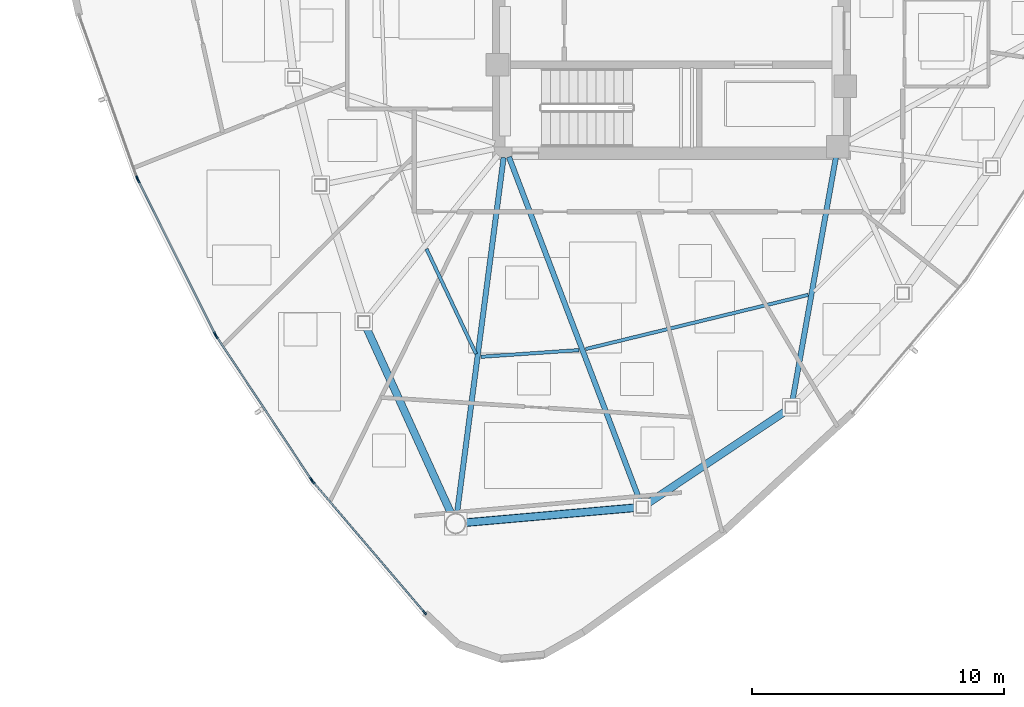
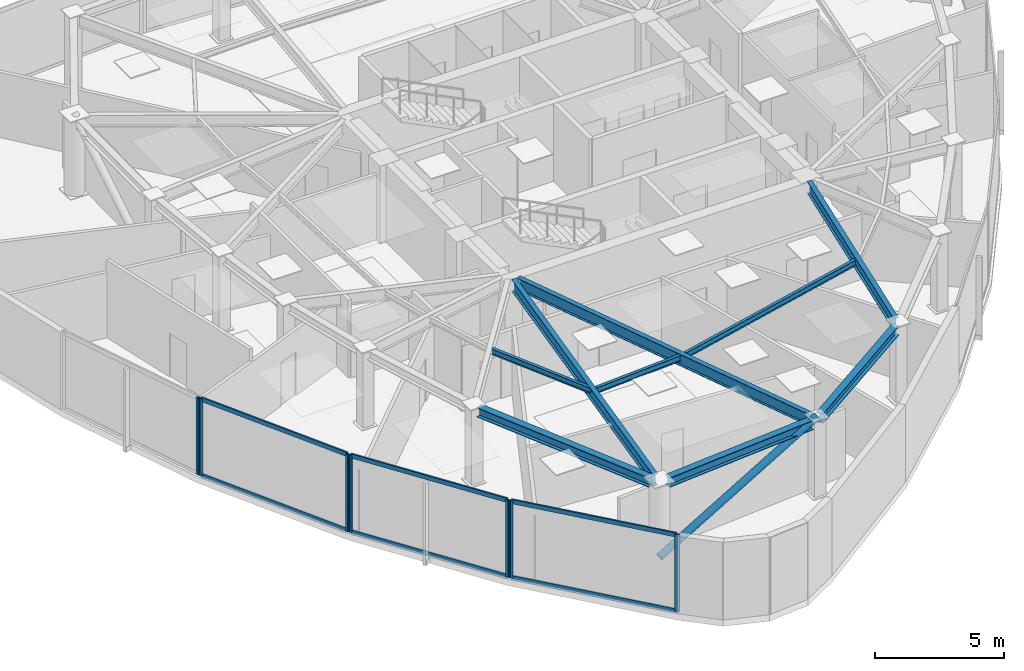
# One storey, part 2 of 13: 14 members, 9 beams, 4 elements without a shape of their own.
"""IFC4 building model written with IfcOpenShell, lengths in metres."""

from ifc_helpers import new_model, si_unit, direction, frame, origin, origin_2d, place, context, subcontext, project, spatial, hollow_rectangle, hollow_circle, i_section, extrude, source, transform, mapped, material, layer, layer_set, material_profile, profile_set, type_object, type_shapes, element, aggregate, save


model = new_model("IFC4")

# Units and contexts
model_context = context("Model", 3, precision=1e-05, world=origin(), true_north=direction((0.0, 1.0)))
body_context = subcontext(model_context, "Body", "Model", "MODEL_VIEW")
ifc_project = project(units=[si_unit("LENGTHUNIT", "METRE"), si_unit("AREAUNIT", "SQUARE_METRE"), si_unit("VOLUMEUNIT", "CUBIC_METRE"), si_unit("PLANEANGLEUNIT", "RADIAN"), si_unit("MASSUNIT", "GRAM", prefix="KILO")], contexts=[model_context])

# Site, building, storey
site_placement = place(None, origin())
site = spatial("IfcSite", under=ifc_project, at=site_placement, CompositionType="ELEMENT")
building_placement = place(site_placement, origin())
building = spatial("IfcBuilding", under=site, at=building_placement, Name="Tavelor Broadcast Tower", CompositionType="ELEMENT")
storey_placement = place(building_placement, frame((0.0, 0.0, 265.60009765625)))
storey = spatial("IfcBuildingStorey", under=building, at=storey_placement, Name="L63", CompositionType="ELEMENT", Elevation=265.60009765625)

# Beams
ifc_material_1 = material(Name="Steel S355", Category="steel")
ifc_material_profile_1 = material_profile(ifc_material_1, i_section(OverallWidth=0.135009765625, OverallDepth=0.27001953125, WebThickness=0.006591796875, FlangeThickness=0.01025390625, at=origin_2d()), Name="IPE 270")
ifc_profile_set_1 = profile_set([ifc_material_profile_1], Name="Steel S355")
beam_type_1 = type_object("IfcBeamType", Name="Composite Floor Joist T6 IPE 270", PredefinedType="JOIST", material=ifc_profile_set_1)
beam_1_placement = place(storey_placement, frame((40.28466796875, 34.7451171875, 3.514892578125), z_axis=(0.426527038786, -0.904474811802, 0.0), x_axis=(0.904474811802, 0.426527038786, 0.0)))
element("IfcBeam", 1, at=beam_1_placement, inside=storey, type_object=beam_type_1, Name="L63 Secondary Composite Floor Joist 06", PredefinedType="JOIST", context=body_context, shape_type="SweptSolid", body=[
    extrude(i_section(OverallWidth=0.135009765625, OverallDepth=0.27001953125, WebThickness=0.006591796875, FlangeThickness=0.01025390625, at=origin_2d()), origin(), (0.0, 0.0, 1.0), 4.60546875),
])
beam_2_placement = place(storey_placement, frame((42.440185546875, 30.46728515625, 3.514892578125), z_axis=(0.997669102567, 0.068237539396, 0.0), x_axis=(-0.068237539396, 0.997669102567, 0.0)))
element("IfcBeam", 2, at=beam_2_placement, inside=storey, type_object=beam_type_1, Name="L63 Secondary Composite Floor Joist 07", PredefinedType="JOIST", context=body_context, shape_type="SweptSolid", body=[
    extrude(i_section(OverallWidth=0.135009765625, OverallDepth=0.27001953125, WebThickness=0.006591796875, FlangeThickness=0.01025390625, at=origin_2d()), origin(), (0.0, 0.0, 1.0), 3.9033203125),
])
beam_3_placement = place(storey_placement, frame((46.598876953125, 30.7744140625, 3.514892578125), z_axis=(0.971610196631, 0.236587459098, 0.0), x_axis=(-0.236587459098, 0.971610196631, 0.0)))
element("IfcBeam", 3, at=beam_3_placement, inside=storey, type_object=beam_type_1, Name="L63 Secondary Composite Floor Joist 08", PredefinedType="JOIST", context=body_context, shape_type="SweptSolid", body=[
    extrude(i_section(OverallWidth=0.135009765625, OverallDepth=0.27001953125, WebThickness=0.006591796875, FlangeThickness=0.01025390625, at=origin_2d()), origin(), (0.0, 0.0, 1.0), 9.0849609375),
])
ifc_material_profile_2 = material_profile(ifc_material_1, i_section(OverallWidth=0.300048828125, OverallDepth=0.449951171875, WebThickness=0.013916015625, FlangeThickness=0.02587890625, at=origin_2d()), Name="HEB 450")
ifc_profile_set_2 = profile_set([ifc_material_profile_2], Name="Steel S355")
beam_type_2 = type_object("IfcBeamType", Name="Perimeter Spandrel Beam T6 HEB 450", PredefinedType="SPANDREL", material=ifc_profile_set_2)
beam_4_placement = place(storey_placement, frame((37.896484375, 31.635009765625, 3.4248046875), z_axis=(0.414463300231, -0.910066026595, 0.0), x_axis=(0.910066026595, 0.414463300231, 0.0)))
element("IfcBeam", 4, at=beam_4_placement, inside=storey, type_object=beam_type_2, Name="L63 Framed-Tube Ring Spandrel 06", PredefinedType="SPANDREL", context=body_context, shape_type="SweptSolid", body=[
    extrude(i_section(OverallWidth=0.300048828125, OverallDepth=0.449951171875, WebThickness=0.013916015625, FlangeThickness=0.02587890625, at=origin_2d()), origin(), (0.0, 0.0, 1.0), 8.16015625),
])
beam_5_placement = place(storey_placement, frame((41.828857421875, 23.887939453125, 3.4248046875), z_axis=(0.996154580768, 0.087613076733, 0.0), x_axis=(-0.087613076733, 0.996154580768, 0.0)))
element("IfcBeam", 5, at=beam_5_placement, inside=storey, type_object=beam_type_2, Name="L63 Framed-Tube Ring Spandrel 07", PredefinedType="SPANDREL", context=body_context, shape_type="SweptSolid", body=[
    extrude(i_section(OverallWidth=0.300048828125, OverallDepth=0.449951171875, WebThickness=0.013916015625, FlangeThickness=0.02587890625, at=origin_2d()), origin(), (0.0, 0.0, 1.0), 6.802001953125),
])
beam_6_placement = place(storey_placement, frame((49.043212890625, 24.638427734375, 3.4248046875), z_axis=(0.83097843332, 0.556304631795, 0.0), x_axis=(-0.556304631795, 0.83097843332, 0.0)))
element("IfcBeam", 6, at=beam_6_placement, inside=storey, type_object=beam_type_2, Name="L63 Framed-Tube Ring Spandrel 08", PredefinedType="SPANDREL", context=body_context, shape_type="SweptSolid", body=[
    extrude(i_section(OverallWidth=0.300048828125, OverallDepth=0.449951171875, WebThickness=0.013916015625, FlangeThickness=0.02587890625, at=origin_2d()), origin(), (0.0, 0.0, 1.0), 6.632568359375),
])

# Member
ifc_material_profile_3 = material_profile(ifc_material_1, hollow_circle(Radius=0.161865234375, WallThickness=0.01611328125, at=origin_2d()), Name="CHS 323.9x16")
ifc_profile_set_3 = profile_set([ifc_material_profile_3], Name="Steel S355")
member_type_1 = type_object("IfcMemberType", Name="Perimeter Tube Brace T6 CHS 323.9x16", PredefinedType="BRACE", material=ifc_profile_set_3)
member_1_placement = place(storey_placement, frame((41.440185546875, 23.853759765625, 0.0), z_axis=(0.894155458176, 0.07863591001, 0.440797470808), x_axis=(-0.087606208465, 0.996155184817, 0.0)))
element("IfcMember", 7, at=member_1_placement, inside=storey, type_object=member_type_1, Name="L63 Corner Tube Diagonal Brace 2", PredefinedType="BRACE", context=body_context, shape_type="SweptSolid", body=[
    extrude(hollow_circle(Radius=0.161865234375, WallThickness=0.01611328125, at=origin_2d()), origin(), (0.0, 0.0, 1.0), 8.2802734375),
])

# Beams
ifc_material_profile_4 = material_profile(ifc_material_1, i_section(OverallWidth=0.2099609375, OverallDepth=0.550048828125, WebThickness=0.010986328125, FlangeThickness=0.01708984375, at=origin_2d()), Name="IPE 550")
ifc_profile_set_4 = profile_set([ifc_material_profile_4], Name="Steel S355")
beam_type_3 = type_object("IfcBeamType", Name="Radial Floor Girder T6 IPE 550", PredefinedType="BEAM", material=ifc_profile_set_4)
beam_7_placement = place(storey_placement, frame((43.34375, 38.37158203125, 3.375), z_axis=(-0.130001183832, -0.991513838634, 0.0), x_axis=(0.991513838634, -0.130001183832, 0.0)))
element("IfcBeam", 8, at=beam_7_placement, inside=storey, type_object=beam_type_3, Name="L63 Radial Primary Floor Girder 07", PredefinedType="BEAM", context=body_context, shape_type="SweptSolid", body=[
    extrude(i_section(OverallWidth=0.2099609375, OverallDepth=0.550048828125, WebThickness=0.010986328125, FlangeThickness=0.01708984375, at=origin_2d()), origin(), (0.0, 0.0, 1.0), 14.251953125),
])
beam_8_placement = place(storey_placement, frame((43.5537109375, 38.396240234375, 3.375), z_axis=(0.355897443136, -0.934525018375, 0.0), x_axis=(0.934525018375, 0.355897443136, 0.0)))
element("IfcBeam", 9, at=beam_8_placement, inside=storey, type_object=beam_type_3, Name="L63 Radial Primary Floor Girder 08", PredefinedType="BEAM", context=body_context, shape_type="SweptSolid", body=[
    extrude(i_section(OverallWidth=0.2099609375, OverallDepth=0.550048828125, WebThickness=0.010986328125, FlangeThickness=0.01708984375, at=origin_2d()), origin(), (0.0, 0.0, 1.0), 14.62451171875),
])
beam_9_placement = place(storey_placement, frame((56.524169921875, 38.374755859375, 3.375), z_axis=(-0.175770007633, -0.984431259366, 0.0), x_axis=(0.984431259366, -0.175770007633, 0.0)))
element("IfcBeam", 10, at=beam_9_placement, inside=storey, type_object=beam_type_3, Name="L63 Radial Primary Floor Girder 09", PredefinedType="BEAM", context=body_context, shape_type="SweptSolid", body=[
    extrude(i_section(OverallWidth=0.2099609375, OverallDepth=0.550048828125, WebThickness=0.010986328125, FlangeThickness=0.01708984375, at=origin_2d()), origin(), (0.0, 0.0, 1.0), 9.829833984375),
])

# Curtain wall, member
ifc_material_2 = material(Name="Architectural Anodized Aluminium", Category="aluminium")
ifc_layer = layer(ifc_material_2, 0.199951171875)
ifc_layer_set = layer_set([ifc_layer], Name="Architectural Anodized Aluminium")
curtain_wall_type = type_object("IfcCurtainWallType", Name="Tower High-Zone Triple-Glazed Curtain Wall CW04", PredefinedType="NOTDEFINED", material=ifc_layer_set)
curtain_wall_1_placement = place(storey_placement, origin())
curtain_wall_1 = element("IfcCurtainWall", 11, at=curtain_wall_1_placement, inside=storey, type_object=curtain_wall_type, Name="L63 Curtain Wall CW04 Run 685", PredefinedType="NOTDEFINED")
ifc_material_profile_5 = material_profile(ifc_material_2, hollow_rectangle(XDim=0.070068359375, YDim=0.199951171875, WallThickness=0.02197265625, at=origin_2d()), Name="RHS 70x200x22")
ifc_profile_set_5 = profile_set([ifc_material_profile_5], Name="Architectural Anodized Aluminium")
member_type_2 = type_object("IfcMemberType", Name="CW04 Extruded Aluminium Mullion 70x200", PredefinedType="MULLION", material=ifc_profile_set_5)
shared_shape_1 = source(origin(), body_context, "Body", "SweptSolid", [
    extrude(hollow_rectangle(XDim=0.070068359375, YDim=0.199951171875, WallThickness=0.02197265625, at=origin_2d()), origin(), (0.0, 0.0, 1.0), 3.64990234375),
])
type_shapes(member_type_2, [shared_shape_1])
member_2_placement = place(storey_placement, frame((28.811279296875, 37.552001953125, 0.0), z_axis=(0.0, 0.0, 1.0), x_axis=(0.941909338327, 0.335867233252, 0.0)))
member_2 = element("IfcMember", 12, at=member_2_placement, type_object=member_type_2, Name="CW04 mullion 2", PredefinedType="MULLION", context=body_context, shape_type="MappedRepresentation", body=[
    mapped(shared_shape_1, transform((0.0, 0.0, 0.0), scale=1.0)),
])
aggregate(curtain_wall_1, [member_2])

# Curtain wall, members
curtain_wall_2_placement = place(storey_placement, origin())
curtain_wall_2 = element("IfcCurtainWall", 13, at=curtain_wall_2_placement, inside=storey, type_object=curtain_wall_type, Name="L63 Curtain Wall CW04 Run 686", PredefinedType="NOTDEFINED")
member_3_placement = place(storey_placement, frame((28.850341796875, 37.460205078125, 0.0), z_axis=(0.0, 0.0, 1.0), x_axis=(0.894342938801, 0.447382060231, 0.0)))
member_3 = element("IfcMember", 14, at=member_3_placement, type_object=member_type_2, Name="CW04 mullion 1", PredefinedType="MULLION", context=body_context, shape_type="MappedRepresentation", body=[
    mapped(shared_shape_1, transform((0.0, 0.0, 0.0), scale=1.0)),
])
member_4_placement = place(storey_placement, frame((31.8994140625, 31.364990234375, 0.0), z_axis=(0.0, 0.0, 1.0), x_axis=(0.894342938801, 0.447382060231, 0.0)))
member_4 = element("IfcMember", 15, at=member_4_placement, type_object=member_type_2, Name="CW04 mullion 2", PredefinedType="MULLION", context=body_context, shape_type="MappedRepresentation", body=[
    mapped(shared_shape_1, transform((0.0, 0.0, 0.0), scale=1.0)),
])

curtain_wall_3_placement = place(storey_placement, origin())
curtain_wall_3 = element("IfcCurtainWall", 16, at=curtain_wall_3_placement, inside=storey, type_object=curtain_wall_type, Name="L63 Curtain Wall CW04 Run 687", PredefinedType="NOTDEFINED")
member_5_placement = place(storey_placement, frame((31.949462890625, 31.2783203125, 0.0), z_axis=(0.0, 0.0, 1.0), x_axis=(0.833639961942, 0.552308259809, 0.0)))
member_5 = element("IfcMember", 17, at=member_5_placement, type_object=member_type_2, Name="CW04 mullion 1", PredefinedType="MULLION", context=body_context, shape_type="MappedRepresentation", body=[
    mapped(shared_shape_1, transform((0.0, 0.0, 0.0), scale=1.0)),
])
member_6_placement = place(storey_placement, frame((35.713623046875, 25.5966796875, 0.0), z_axis=(0.0, 0.0, 1.0), x_axis=(0.833639961942, 0.552308259809, 0.0)))
member_6 = element("IfcMember", 18, at=member_6_placement, type_object=member_type_2, Name="CW04 mullion 2", PredefinedType="MULLION", context=body_context, shape_type="MappedRepresentation", body=[
    mapped(shared_shape_1, transform((0.0, 0.0, 0.0), scale=1.0)),
])

curtain_wall_4_placement = place(storey_placement, origin())
curtain_wall_4 = element("IfcCurtainWall", 19, at=curtain_wall_4_placement, inside=storey, type_object=curtain_wall_type, Name="L63 Curtain Wall CW04 Run 688", PredefinedType="NOTDEFINED")
member_7_placement = place(storey_placement, frame((35.77392578125, 25.51708984375, 0.0), z_axis=(0.0, 0.0, 1.0), x_axis=(0.7606754838, 0.649132350407, 0.0)))
member_7 = element("IfcMember", 20, at=member_7_placement, type_object=member_type_2, Name="CW04 mullion 1", PredefinedType="MULLION", context=body_context, shape_type="MappedRepresentation", body=[
    mapped(shared_shape_1, transform((0.0, 0.0, 0.0), scale=1.0)),
])
member_8_placement = place(storey_placement, frame((40.208251953125, 20.320556640625, 0.0), z_axis=(0.0, 0.0, 1.0), x_axis=(0.7606754838, 0.649132350407, 0.0)))
member_8 = element("IfcMember", 21, at=member_8_placement, type_object=member_type_2, Name="CW04 mullion 2", PredefinedType="MULLION", context=body_context, shape_type="MappedRepresentation", body=[
    mapped(shared_shape_1, transform((0.0, 0.0, 0.0), scale=1.0)),
])

# Member
ifc_material_profile_6 = material_profile(ifc_material_2, hollow_rectangle(XDim=0.070068359375, YDim=0.199951171875, WallThickness=0.02197265625, at=origin_2d()), Name="RHS 70x200x22")
ifc_profile_set_6 = profile_set([ifc_material_profile_6], Name="Architectural Anodized Aluminium")
member_type_3 = type_object("IfcMemberType", Name="CW04 Extruded Aluminium Transom 70x200", PredefinedType="USERDEFINED", material=ifc_profile_set_6)
shared_shape_2 = source(origin(), body_context, "Body", "SweptSolid", [
    extrude(hollow_rectangle(XDim=0.070068359375, YDim=0.199951171875, WallThickness=0.02197265625, at=origin_2d()), origin(), (0.0, 0.0, 1.0), 6.745361328125),
])
member_9_placement = place(storey_placement, frame((28.865966796875, 37.428955078125, 0.034912109375), z_axis=(0.447387315655, -0.894340309832, 0.0), x_axis=(0.894340309832, 0.447387315655, 0.0)))
member_9 = element("IfcMember", 22, at=member_9_placement, type_object=member_type_3, Name="CW04 transom 1.1", ObjectType="TRANSOM", PredefinedType="USERDEFINED", context=body_context, shape_type="MappedRepresentation", body=[
    mapped(shared_shape_2, transform((0.0, 0.0, 0.0), scale=1.0)),
])

member_10_placement = place(storey_placement, frame((28.865966796875, 37.428955078125, 3.614990234375), z_axis=(0.447387315655, -0.894340309832, 0.0), x_axis=(0.894340309832, 0.447387315655, 0.0)))
member_10 = element("IfcMember", 23, at=member_10_placement, type_object=member_type_3, Name="CW04 transom 1.2", ObjectType="TRANSOM", PredefinedType="USERDEFINED", context=body_context, shape_type="MappedRepresentation", body=[
    mapped(shared_shape_2, transform((0.0, 0.0, 0.0), scale=1.0)),
])

aggregate(curtain_wall_2, [member_3, member_4, member_9, member_10])

member_11_placement = place(storey_placement, frame((31.96875, 31.249267578125, 0.034912109375), z_axis=(0.552309155048, -0.833639368822, 0.0), x_axis=(0.833639368822, 0.552309155048, 0.0)))
member_11 = element("IfcMember", 24, at=member_11_placement, type_object=member_type_3, Name="CW04 transom 1.1", ObjectType="TRANSOM", PredefinedType="USERDEFINED", context=body_context, shape_type="MappedRepresentation", body=[
    mapped(shared_shape_2, transform((0.0, 0.0, 0.0), scale=1.0)),
])

member_12_placement = place(storey_placement, frame((31.96875, 31.249267578125, 3.614990234375), z_axis=(0.552309155048, -0.833639368822, 0.0), x_axis=(0.833639368822, 0.552309155048, 0.0)))
member_12 = element("IfcMember", 25, at=member_12_placement, type_object=member_type_3, Name="CW04 transom 1.2", ObjectType="TRANSOM", PredefinedType="USERDEFINED", context=body_context, shape_type="MappedRepresentation", body=[
    mapped(shared_shape_2, transform((0.0, 0.0, 0.0), scale=1.0)),
])

aggregate(curtain_wall_3, [member_5, member_6, member_11, member_12])

shared_shape_3 = source(origin(), body_context, "Body", "SweptSolid", [
    extrude(hollow_rectangle(XDim=0.070068359375, YDim=0.199951171875, WallThickness=0.02197265625, at=origin_2d()), origin(), (0.0, 0.0, 1.0), 6.761474609375),
])
type_shapes(member_type_3, [shared_shape_2, shared_shape_3])
member_13_placement = place(storey_placement, frame((35.796630859375, 25.490478515625, 0.034912109375), z_axis=(0.649115649106, -0.760689735757, 0.0), x_axis=(0.760689735757, 0.649115649106, 0.0)))
member_13 = element("IfcMember", 26, at=member_13_placement, type_object=member_type_3, Name="CW04 transom 1.1", ObjectType="TRANSOM", PredefinedType="USERDEFINED", context=body_context, shape_type="MappedRepresentation", body=[
    mapped(shared_shape_3, transform((0.0, 0.0, 0.0), scale=1.0)),
])

member_14_placement = place(storey_placement, frame((35.796630859375, 25.490478515625, 3.614990234375), z_axis=(0.649115649106, -0.760689735757, 0.0), x_axis=(0.760689735757, 0.649115649106, 0.0)))
member_14 = element("IfcMember", 27, at=member_14_placement, type_object=member_type_3, Name="CW04 transom 1.2", ObjectType="TRANSOM", PredefinedType="USERDEFINED", context=body_context, shape_type="MappedRepresentation", body=[
    mapped(shared_shape_3, transform((0.0, 0.0, 0.0), scale=1.0)),
])

aggregate(curtain_wall_4, [member_7, member_8, member_13, member_14])

save(model, "model.ifc")
